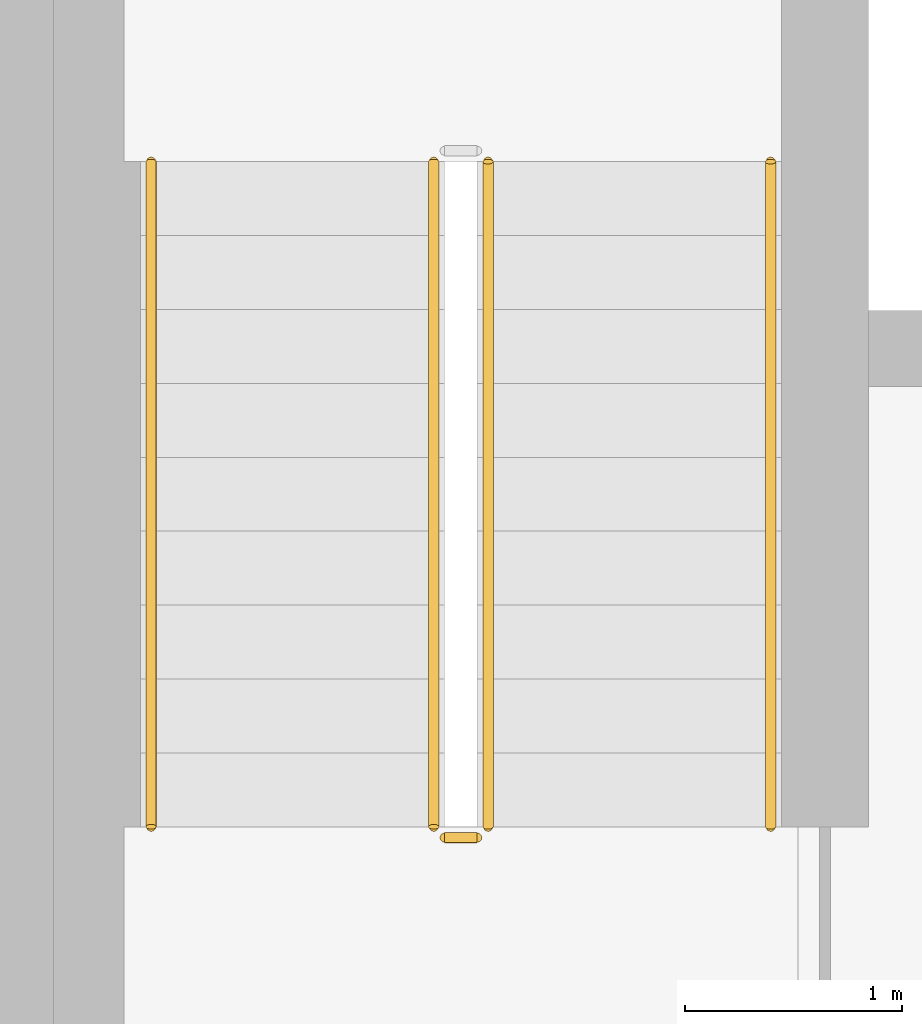
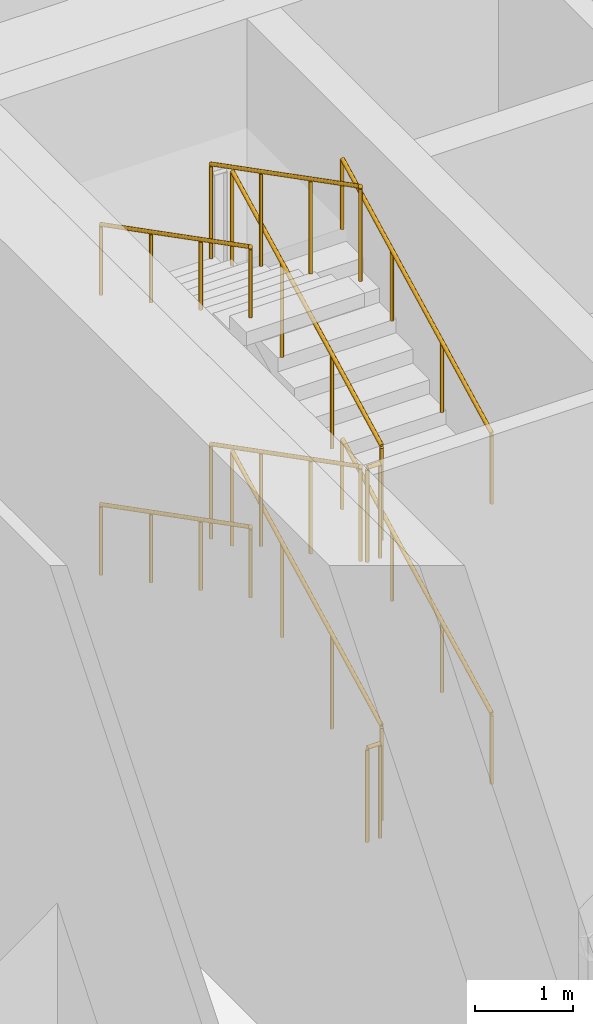
# One storey, part 16 of 20: 10 railings.
"""IFC4 building model written with IfcOpenShell, lengths in metres."""

import ifcopenshell
import ifcopenshell.guid

model = None  # the IFC model being written
_history = None  # IfcOwnerHistory: only IFC2X3 demands one
_inside = {}  # id of a spatial element -> (the spatial element, [elements in it])
_under = {}  # id of a project, library or spatial element -> (it, [spatial elements below it])
_declared = {}  # id of a project -> (the project, [libraries it declares])
_typed = {}  # id of a type object -> (the type object, [elements of that type])
_made_of = {}  # id of a material, layer set ... -> (it, [elements and type objects made of it])


def new_model(schema):
    """Start an empty IFC model of exactly this schema.

    Asked for "IFC4X3", IfcOpenShell would pick the latest addendum, in which some entities
    have other attributes; the version numbers below select the first issue.
    IFC2X3 requires an IfcOwnerHistory on every rooted entity: one is made here for all.
    """
    global model, _history
    if schema == "IFC4X3":
        model = ifcopenshell.file(schema_version=(4, 3, 0, 0))
    else:
        model = ifcopenshell.file(schema=schema)
    _inside.clear()
    _under.clear()
    _declared.clear()
    _typed.clear()
    _made_of.clear()
    _history = None
    if model.schema == "IFC2X3":
        org = make("IfcOrganization", Name="unknown")
        user = make(
            "IfcPersonAndOrganization",
            ThePerson=make("IfcPerson", FamilyName="unknown"),
            TheOrganization=org,
        )
        app = make(
            "IfcApplication",
            ApplicationDeveloper=org,
            Version="unknown",
            ApplicationFullName="unknown",
            ApplicationIdentifier="unknown",
        )
        _history = make(
            "IfcOwnerHistory",
            OwningUser=user,
            OwningApplication=app,
            ChangeAction="ADDED",
            CreationDate=0,
        )
    return model


def make(cls, **values):
    """One entity of the class cls with the attributes given. An attribute that is None is left unset."""
    return model.create_entity(
        cls, **{name: value for name, value in values.items() if value is not None}
    )


def rooted(cls, **values):
    """An entity with a GlobalId (a new one), such as an element, a storey or a relation."""
    return make(cls, GlobalId=ifcopenshell.guid.new(), OwnerHistory=_history, **values)


def si_unit(unit_type, name, prefix=None):
    """IfcSIUnit, for example si_unit("LENGTHUNIT", "METRE", prefix="MILLI")."""
    return make("IfcSIUnit", UnitType=unit_type, Prefix=prefix, Name=name)


def assignment(units):
    """IfcUnitAssignment: the units of a project."""
    return None if units is None else make("IfcUnitAssignment", Units=units)


def point(xyz):
    """IfcCartesianPoint."""
    return None if xyz is None else make("IfcCartesianPoint", Coordinates=xyz)


def direction(xyz):
    """IfcDirection."""
    return None if xyz is None else make("IfcDirection", DirectionRatios=xyz)


def frame(location, z_axis=None, x_axis=None):
    """IfcAxis2Placement3D, a coordinate frame: its origin and axes. An axis left out is left unset."""
    return make(
        "IfcAxis2Placement3D",
        Location=point(location),
        Axis=direction(z_axis),
        RefDirection=direction(x_axis),
    )


def frame_2d(location, x_axis=None):
    """IfcAxis2Placement2D, a coordinate frame in the plane: its origin and x axis."""
    return make(
        "IfcAxis2Placement2D", Location=point(location), RefDirection=direction(x_axis)
    )


def origin():
    """The frame at (0, 0, 0) with its axes left unset."""
    return frame((0.0, 0.0, 0.0))


def origin_2d():
    """The frame at (0, 0) in the plane with its x axis left unset."""
    return frame_2d((0.0, 0.0))


def place(relative_to, where):
    """IfcLocalPlacement: puts the frame where relative to a parent placement (None: the world)."""
    return make(
        "IfcLocalPlacement", PlacementRelTo=relative_to, RelativePlacement=where
    )


def context(
    kind, dimensions, precision=None, world=None, true_north=None, identifier=None
):
    """IfcGeometricRepresentationContext, for example the 3D "Model" context."""
    return make(
        "IfcGeometricRepresentationContext",
        ContextIdentifier=identifier,
        ContextType=kind,
        CoordinateSpaceDimension=dimensions,
        Precision=precision,
        WorldCoordinateSystem=world,
        TrueNorth=true_north,
    )


def subcontext(parent, identifier, kind, view, scale=None):
    """IfcGeometricRepresentationSubContext, for example "Body" below "Model"."""
    return make(
        "IfcGeometricRepresentationSubContext",
        ContextIdentifier=identifier,
        ContextType=kind,
        ParentContext=parent,
        TargetScale=scale,
        TargetView=view,
    )


def project(units=None, contexts=None):
    """IfcProject with its units and contexts."""
    return rooted(
        "IfcProject",
        Name="project",
        RepresentationContexts=contexts,
        UnitsInContext=assignment(units),
    )


def spatial(cls, under=None, at=None, **own):
    """A site, building, storey or space (cls), placed at a placement, below another one or the project."""
    s = rooted(cls, ObjectPlacement=at, **own)
    if under is not None:
        _under.setdefault(under.id(), (under, []))[1].append(s)
    return s


def profile(cls, at=None, kind="AREA", **sizes):
    """A parametric profile (cls). Its sizes go by their IFC names, for example OverallWidth=200.0."""
    return make(cls, ProfileType=kind, Position=at, **sizes)


def circle(**sizes):
    """IfcCircleProfileDef."""
    return profile("IfcCircleProfileDef", **sizes)


def extrude(swept, where, along, depth):
    """IfcExtrudedAreaSolid: the profile swept, set in the frame where, extruded along a direction by depth."""
    return make(
        "IfcExtrudedAreaSolid",
        SweptArea=swept,
        Position=where,
        ExtrudedDirection=direction(along),
        Depth=depth,
    )


def shape(context_of_items, identifier, shape_type, items):
    """IfcShapeRepresentation: the items that make up one representation, for example the "Body"."""
    return make(
        "IfcShapeRepresentation",
        ContextOfItems=context_of_items,
        RepresentationIdentifier=identifier,
        RepresentationType=shape_type,
        Items=items,
    )


def material(Name=None, Category=None):
    """IfcMaterial."""
    return make("IfcMaterial", Name=Name, Category=Category)


def made_of(thing, what):
    """Note that an element or type object is made of a material, layer set ...; save() writes the relation."""
    if what is not None:
        _made_of.setdefault(what.id(), (what, []))[1].append(thing)
    return thing


def type_object(cls, material=None, **own):
    """A type object (cls), such as IfcWallType, which elements share."""
    return made_of(rooted(cls, **own), material)


def element(
    cls,
    number,
    at=None,
    inside=None,
    cuts=None,
    type_object=None,
    material=None,
    context=None,
    identifier="Body",
    shape_type=None,
    held_by="IfcProductDefinitionShape",
    body=None,
    shapes=None,
    **own,
):
    """One element of the class cls, such as IfcWall. Its Tag is "e" and its number.

    at: its placement. inside: the storey or other place that contains it. cuts: it is an
    opening in that element (IfcRelVoidsElement). A single representation is given by context,
    identifier, shape_type and body (its items); several are given by shapes. held_by: the class
    of the entity that holds the representations. save() writes the other relations.
    """
    e = rooted(cls, Tag="e%d" % number, ObjectPlacement=at, **own)
    if body is not None:
        shapes = [shape(context, identifier, shape_type, body)]
    if shapes is not None:
        e.Representation = make(held_by, Representations=shapes)
    if inside is not None:
        _inside.setdefault(inside.id(), (inside, []))[1].append(e)
    if cuts is not None:
        rooted(
            "IfcRelVoidsElement", RelatingBuildingElement=cuts, RelatedOpeningElement=e
        )
    if type_object is not None:
        _typed.setdefault(type_object.id(), (type_object, []))[1].append(e)
    return made_of(e, material)


def aggregate(whole, parts):
    """IfcRelAggregates: a whole, such as a stair, and the parts it consists of."""
    return rooted("IfcRelAggregates", RelatingObject=whole, RelatedObjects=parts)


def save(model, path):
    """Write the relations noted so far, then the file.

    IfcRelAggregates (storeys below a building ...), IfcRelContainedInSpatialStructure (elements
    in a storey), IfcRelDefinesByType, IfcRelAssociatesMaterial and IfcRelDeclares: one each for
    every whole, place, type object, material and project.
    """
    for whole, parts in _under.values():
        aggregate(whole, parts)
    for where, things in _inside.values():
        rooted(
            "IfcRelContainedInSpatialStructure",
            RelatedElements=things,
            RelatingStructure=where,
        )
    for kind, things in _typed.values():
        rooted("IfcRelDefinesByType", RelatedObjects=things, RelatingType=kind)
    for what, things in _made_of.values():
        rooted("IfcRelAssociatesMaterial", RelatedObjects=things, RelatingMaterial=what)
    for by, libraries in _declared.values():
        rooted("IfcRelDeclares", RelatingContext=by, RelatedDefinitions=libraries)
    model.write(path)


model = new_model("IFC4")

# Units and contexts
model_context = context("Model", 3, precision=1e-05, world=origin(), true_north=direction((0.0, 1.0)))
body_context = subcontext(model_context, "Body", "Model", "MODEL_VIEW")
ifc_project = project(units=[si_unit("LENGTHUNIT", "METRE"), si_unit("AREAUNIT", "SQUARE_METRE"), si_unit("VOLUMEUNIT", "CUBIC_METRE"), si_unit("PLANEANGLEUNIT", "RADIAN"), si_unit("MASSUNIT", "GRAM", prefix="KILO")], contexts=[model_context])

# Site, building, storey
site_placement = place(None, origin())
site = spatial("IfcSite", under=ifc_project, at=site_placement, CompositionType="ELEMENT")
building_placement = place(site_placement, origin())
building = spatial("IfcBuilding", under=site, at=building_placement, Name="Dongbaek Canopy Tower", CompositionType="ELEMENT")
storey_placement = place(building_placement, frame((0.0, 0.0, 151.60009765625)))
storey = spatial("IfcBuildingStorey", under=building, at=storey_placement, Name="L33", CompositionType="ELEMENT", Elevation=151.60009765625)

# Railings
ifc_material_1 = material(Name="Stainless steel tube and balusters", Category="steel")
railing_type_1 = type_object("IfcRailingType", Name="Stair guard 1200", PredefinedType="GUARDRAIL", material=ifc_material_1)
railing_1_placement = place(storey_placement, frame((-11.199951171875, 4.699951171875, 0.1748046875)))
element("IfcRailing", 1, at=railing_1_placement, inside=storey, type_object=railing_type_1, Name="L33 ST-C stair guard 1", PredefinedType="GUARDRAIL", context=body_context, shape_type="SweptSolid", body=[
    extrude(circle(Radius=0.02392578125, at=origin_2d()), frame((0.0, 0.0, 1.17578125), z_axis=(0.0, 0.889116283586, 0.457681367616), x_axis=(-1.0, 0.0, 0.0)), (0.0, 0.0, 1.0), 3.441650390625),
    extrude(circle(Radius=0.02099609375, at=origin_2d()), origin(), (0.0, 0.0, 1.0), 1.15185546875),
    extrude(circle(Radius=0.02099609375, at=origin_2d()), frame((0.0, 1.02001953125, 0.525146484375)), (0.0, 0.0, 1.0), 1.15185546875),
    extrude(circle(Radius=0.02099609375, at=origin_2d()), frame((0.0, 2.0400390625, 1.050048828125)), (0.0, 0.0, 1.0), 1.15185546875),
    extrude(circle(Radius=0.02099609375, at=origin_2d()), frame((0.0, 3.06005859375, 1.5751953125)), (0.0, 0.0, 1.0), 1.15185546875),
])
railing_2_placement = place(storey_placement, frame((-11.449951171875, 7.760009765625, 1.9248046875)))
element("IfcRailing", 2, at=railing_2_placement, inside=storey, type_object=railing_type_1, Name="L33 ST-C stair guard 3", PredefinedType="GUARDRAIL", context=body_context, shape_type="SweptSolid", body=[
    extrude(circle(Radius=0.02392578125, at=origin_2d()), frame((0.0, 0.0, 1.17578125), z_axis=(0.0, -0.889116283586, 0.457681367616), x_axis=(1.0, 0.0, 0.0)), (0.0, 0.0, 1.0), 3.441650390625),
    extrude(circle(Radius=0.02099609375, at=origin_2d()), origin(), (0.0, 0.0, 1.0), 1.15185546875),
    extrude(circle(Radius=0.02099609375, at=origin_2d()), frame((0.0, -1.02001953125, 0.525146484375)), (0.0, 0.0, 1.0), 1.15185546875),
    extrude(circle(Radius=0.02099609375, at=origin_2d()), frame((0.0, -2.0400390625, 1.050048828125)), (0.0, 0.0, 1.0), 1.15185546875),
    extrude(circle(Radius=0.02099609375, at=origin_2d()), frame((0.0, -3.06005859375, 1.5751953125)), (0.0, 0.0, 1.0), 1.15185546875),
])
railing_3_placement = place(storey_placement, frame((-11.25, 4.64990234375, 3.5)))
element("IfcRailing", 3, at=railing_3_placement, inside=storey, type_object=railing_type_1, Name="L33 ST-C stair guard 4", PredefinedType="GUARDRAIL", context=body_context, shape_type="SweptSolid", body=[
    extrude(circle(Radius=0.02392578125, at=origin_2d()), frame((0.0, 0.0, 1.17578125), z_axis=(-1.0, 0.0, 0.0), x_axis=(0.0, -1.0, 0.0)), (0.0, 0.0, 1.0), 0.14990234375),
    extrude(circle(Radius=0.02099609375, at=origin_2d()), origin(), (0.0, 0.0, 1.0), 1.15185546875),
    extrude(circle(Radius=0.02099609375, at=origin_2d()), frame((-0.14990234375, 0.0, 0.0)), (0.0, 0.0, 1.0), 1.15185546875),
])
railing_4_placement = place(storey_placement, frame((-11.199951171875, 4.699951171875, 3.6748046875)))
element("IfcRailing", 4, at=railing_4_placement, inside=storey, type_object=railing_type_1, Name="L33 ST-C stair guard 5", PredefinedType="GUARDRAIL", context=body_context, shape_type="SweptSolid", body=[
    extrude(circle(Radius=0.02392578125, at=origin_2d()), frame((0.0, 0.0, 1.17578125), z_axis=(0.0, 0.889116283586, 0.457681367616), x_axis=(-1.0, 0.0, 0.0)), (0.0, 0.0, 1.0), 3.441650390625),
    extrude(circle(Radius=0.02099609375, at=origin_2d()), origin(), (0.0, 0.0, 1.0), 1.15185546875),
    extrude(circle(Radius=0.02099609375, at=origin_2d()), frame((0.0, 1.02001953125, 0.525146484375)), (0.0, 0.0, 1.0), 1.15185546875),
    extrude(circle(Radius=0.02099609375, at=origin_2d()), frame((0.0, 2.0400390625, 1.050048828125)), (0.0, 0.0, 1.0), 1.15185546875),
    extrude(circle(Radius=0.02099609375, at=origin_2d()), frame((0.0, 3.06005859375, 1.5751953125)), (0.0, 0.0, 1.0), 1.15185546875),
])
railing_5_placement = place(storey_placement, frame((-11.449951171875, 7.760009765625, 5.4248046875)))
element("IfcRailing", 5, at=railing_5_placement, inside=storey, type_object=railing_type_1, Name="L33 ST-C stair guard 7", PredefinedType="GUARDRAIL", context=body_context, shape_type="SweptSolid", body=[
    extrude(circle(Radius=0.02392578125, at=origin_2d()), frame((0.0, 0.0, 1.17578125), z_axis=(0.0, -0.889116283586, 0.457681367616), x_axis=(1.0, 0.0, 0.0)), (0.0, 0.0, 1.0), 3.441650390625),
    extrude(circle(Radius=0.02099609375, at=origin_2d()), origin(), (0.0, 0.0, 1.0), 1.15185546875),
    extrude(circle(Radius=0.02099609375, at=origin_2d()), frame((0.0, -1.02001953125, 0.525146484375)), (0.0, 0.0, 1.0), 1.15185546875),
    extrude(circle(Radius=0.02099609375, at=origin_2d()), frame((0.0, -2.0400390625, 1.050048828125)), (0.0, 0.0, 1.0), 1.15185546875),
    extrude(circle(Radius=0.02099609375, at=origin_2d()), frame((0.0, -3.06005859375, 1.5751953125)), (0.0, 0.0, 1.0), 1.15185546875),
])
railing_6_placement = place(storey_placement, frame((-11.25, 4.64990234375, 0.0)))
element("IfcRailing", 6, at=railing_6_placement, inside=storey, type_object=railing_type_1, Name="L33 ST-C stair guard 8", PredefinedType="GUARDRAIL", context=body_context, shape_type="SweptSolid", body=[
    extrude(circle(Radius=0.02392578125, at=origin_2d()), frame((0.0, 0.0, 1.17578125), z_axis=(-1.0, 0.0, 0.0), x_axis=(0.0, -1.0, 0.0)), (0.0, 0.0, 1.0), 0.14990234375),
    extrude(circle(Radius=0.02099609375, at=origin_2d()), origin(), (0.0, 0.0, 1.0), 1.15185546875),
    extrude(circle(Radius=0.02099609375, at=origin_2d()), frame((-0.14990234375, 0.0, 0.0)), (0.0, 0.0, 1.0), 1.15185546875),
])
ifc_material_2 = material(Name="Stainless steel tube", Category="steel")
railing_type_2 = type_object("IfcRailingType", Name="Stair handrail 900", PredefinedType="HANDRAIL", material=ifc_material_2)
railing_7_placement = place(storey_placement, frame((-9.89990234375, 4.699951171875, 0.1748046875)))
element("IfcRailing", 7, at=railing_7_placement, inside=storey, type_object=railing_type_2, Name="L33 ST-C stair handrail 1", PredefinedType="HANDRAIL", context=body_context, shape_type="SweptSolid", body=[
    extrude(circle(Radius=0.02392578125, at=origin_2d()), frame((0.0, 0.0, 0.8759765625), z_axis=(0.0, 0.889116283586, 0.457681367616), x_axis=(-1.0, 0.0, 0.0)), (0.0, 0.0, 1.0), 3.441650390625),
    extrude(circle(Radius=0.02099609375, at=origin_2d()), origin(), (0.0, 0.0, 1.0), 0.851806640625),
    extrude(circle(Radius=0.02099609375, at=origin_2d()), frame((0.0, 1.02001953125, 0.525146484375)), (0.0, 0.0, 1.0), 0.851806640625),
    extrude(circle(Radius=0.02099609375, at=origin_2d()), frame((0.0, 2.0400390625, 1.050048828125)), (0.0, 0.0, 1.0), 0.851806640625),
    extrude(circle(Radius=0.02099609375, at=origin_2d()), frame((0.0, 3.06005859375, 1.5751953125)), (0.0, 0.0, 1.0), 0.851806640625),
])
railing_8_placement = place(storey_placement, frame((-12.75, 7.760009765625, 1.9248046875)))
element("IfcRailing", 8, at=railing_8_placement, inside=storey, type_object=railing_type_2, Name="L33 ST-C stair handrail 2", PredefinedType="HANDRAIL", context=body_context, shape_type="SweptSolid", body=[
    extrude(circle(Radius=0.02392578125, at=origin_2d()), frame((0.0, 0.0, 0.8759765625), z_axis=(0.0, -0.889116283586, 0.457681367616), x_axis=(1.0, 0.0, 0.0)), (0.0, 0.0, 1.0), 3.441650390625),
    extrude(circle(Radius=0.02099609375, at=origin_2d()), origin(), (0.0, 0.0, 1.0), 0.851806640625),
    extrude(circle(Radius=0.02099609375, at=origin_2d()), frame((0.0, -1.02001953125, 0.525146484375)), (0.0, 0.0, 1.0), 0.851806640625),
    extrude(circle(Radius=0.02099609375, at=origin_2d()), frame((0.0, -2.0400390625, 1.050048828125)), (0.0, 0.0, 1.0), 0.851806640625),
    extrude(circle(Radius=0.02099609375, at=origin_2d()), frame((0.0, -3.06005859375, 1.5751953125)), (0.0, 0.0, 1.0), 0.851806640625),
])
railing_9_placement = place(storey_placement, frame((-9.89990234375, 4.699951171875, 3.6748046875)))
element("IfcRailing", 9, at=railing_9_placement, inside=storey, type_object=railing_type_2, Name="L33 ST-C stair handrail 3", PredefinedType="HANDRAIL", context=body_context, shape_type="SweptSolid", body=[
    extrude(circle(Radius=0.02392578125, at=origin_2d()), frame((0.0, 0.0, 0.8759765625), z_axis=(0.0, 0.889116283586, 0.457681367616), x_axis=(-1.0, 0.0, 0.0)), (0.0, 0.0, 1.0), 3.441650390625),
    extrude(circle(Radius=0.02099609375, at=origin_2d()), origin(), (0.0, 0.0, 1.0), 0.851806640625),
    extrude(circle(Radius=0.02099609375, at=origin_2d()), frame((0.0, 1.02001953125, 0.525146484375)), (0.0, 0.0, 1.0), 0.851806640625),
    extrude(circle(Radius=0.02099609375, at=origin_2d()), frame((0.0, 2.0400390625, 1.050048828125)), (0.0, 0.0, 1.0), 0.851806640625),
    extrude(circle(Radius=0.02099609375, at=origin_2d()), frame((0.0, 3.06005859375, 1.5751953125)), (0.0, 0.0, 1.0), 0.851806640625),
])
railing_10_placement = place(storey_placement, frame((-12.75, 7.760009765625, 5.4248046875)))
element("IfcRailing", 10, at=railing_10_placement, inside=storey, type_object=railing_type_2, Name="L33 ST-C stair handrail 4", PredefinedType="HANDRAIL", context=body_context, shape_type="SweptSolid", body=[
    extrude(circle(Radius=0.02392578125, at=origin_2d()), frame((0.0, 0.0, 0.8759765625), z_axis=(0.0, -0.889116283586, 0.457681367616), x_axis=(1.0, 0.0, 0.0)), (0.0, 0.0, 1.0), 3.441650390625),
    extrude(circle(Radius=0.02099609375, at=origin_2d()), origin(), (0.0, 0.0, 1.0), 0.851806640625),
    extrude(circle(Radius=0.02099609375, at=origin_2d()), frame((0.0, -1.02001953125, 0.525146484375)), (0.0, 0.0, 1.0), 0.851806640625),
    extrude(circle(Radius=0.02099609375, at=origin_2d()), frame((0.0, -2.0400390625, 1.050048828125)), (0.0, 0.0, 1.0), 0.851806640625),
    extrude(circle(Radius=0.02099609375, at=origin_2d()), frame((0.0, -3.06005859375, 1.5751953125)), (0.0, 0.0, 1.0), 0.851806640625),
])

save(model, "model.ifc")
